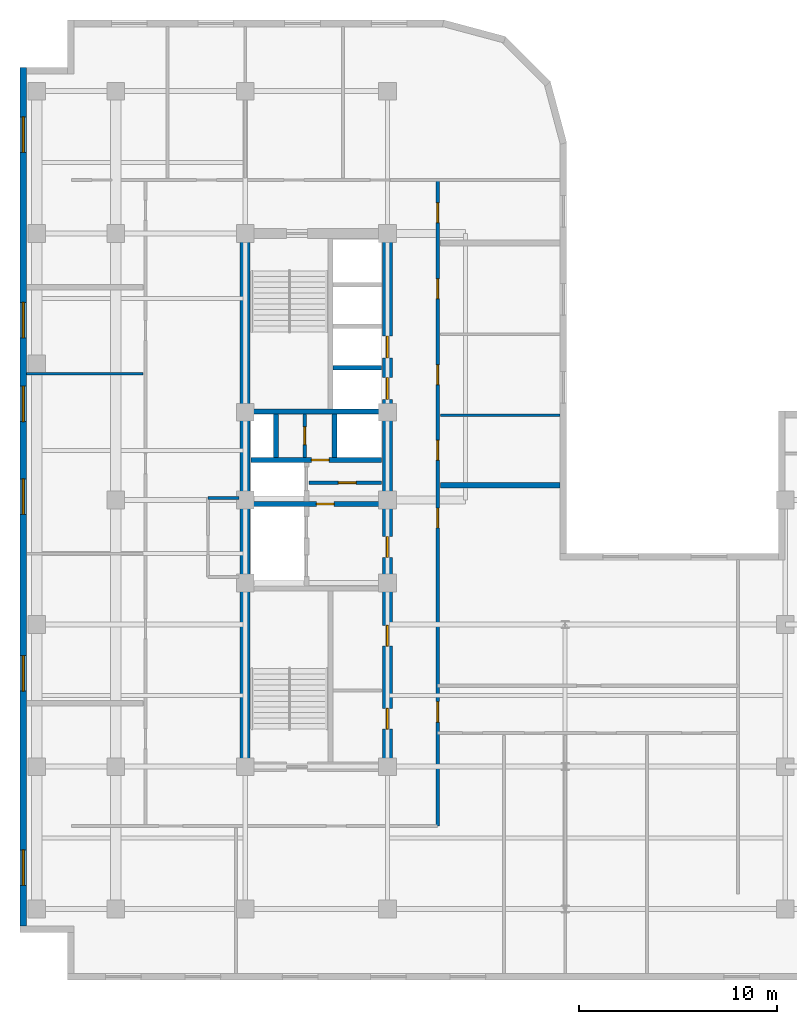
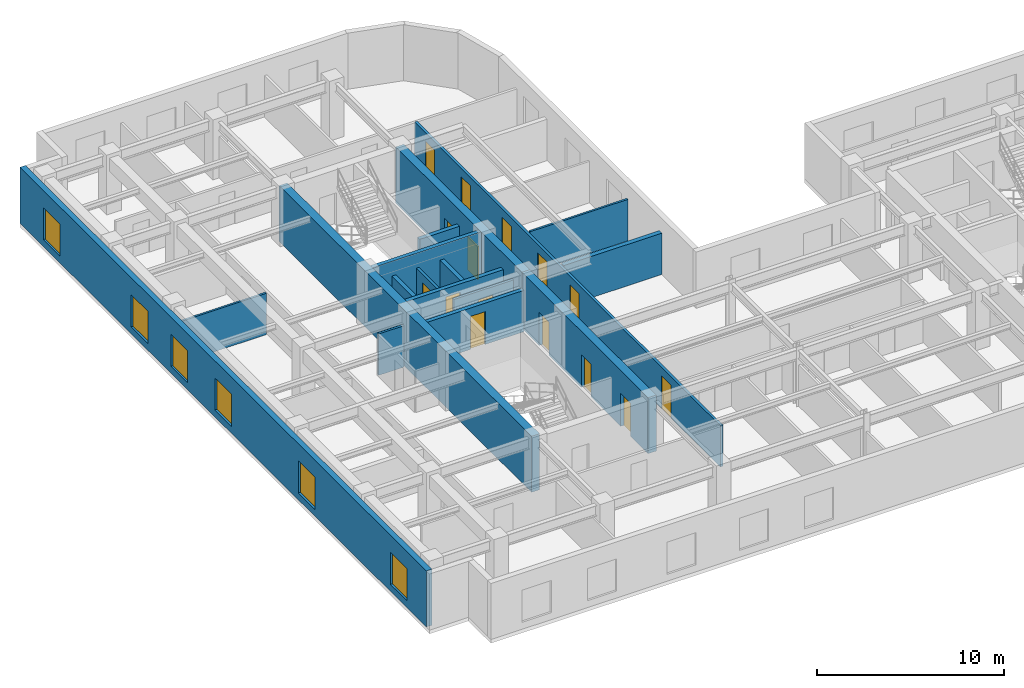
# One storey, part 5 of 11: 17 walls, 15 doors, 6 windows, 21 openings.
"""IFC4 building model written with IfcOpenShell, lengths in metres."""

import ifcopenshell
import ifcopenshell.guid

model = None  # the IFC model being written
_history = None  # IfcOwnerHistory: only IFC2X3 demands one
_inside = {}  # id of a spatial element -> (the spatial element, [elements in it])
_under = {}  # id of a project, library or spatial element -> (it, [spatial elements below it])
_declared = {}  # id of a project -> (the project, [libraries it declares])
_typed = {}  # id of a type object -> (the type object, [elements of that type])
_made_of = {}  # id of a material, layer set ... -> (it, [elements and type objects made of it])


def new_model(schema):
    """Start an empty IFC model of exactly this schema.

    Asked for "IFC4X3", IfcOpenShell would pick the latest addendum, in which some entities
    have other attributes; the version numbers below select the first issue.
    IFC2X3 requires an IfcOwnerHistory on every rooted entity: one is made here for all.
    """
    global model, _history
    if schema == "IFC4X3":
        model = ifcopenshell.file(schema_version=(4, 3, 0, 0))
    else:
        model = ifcopenshell.file(schema=schema)
    _inside.clear()
    _under.clear()
    _declared.clear()
    _typed.clear()
    _made_of.clear()
    _history = None
    if model.schema == "IFC2X3":
        org = make("IfcOrganization", Name="unknown")
        user = make(
            "IfcPersonAndOrganization",
            ThePerson=make("IfcPerson", FamilyName="unknown"),
            TheOrganization=org,
        )
        app = make(
            "IfcApplication",
            ApplicationDeveloper=org,
            Version="unknown",
            ApplicationFullName="unknown",
            ApplicationIdentifier="unknown",
        )
        _history = make(
            "IfcOwnerHistory",
            OwningUser=user,
            OwningApplication=app,
            ChangeAction="ADDED",
            CreationDate=0,
        )
    return model


def make(cls, **values):
    """One entity of the class cls with the attributes given. An attribute that is None is left unset."""
    return model.create_entity(
        cls, **{name: value for name, value in values.items() if value is not None}
    )


def entity(cls, *values):
    """Any entity or typed value of the class cls, its attributes in the order of the schema. None: left unset."""
    e = model.create_entity(cls)
    for i, value in enumerate(values):
        if value is not None:
            e[i] = value
    return e


def rooted(cls, **values):
    """An entity with a GlobalId (a new one), such as an element, a storey or a relation."""
    return make(cls, GlobalId=ifcopenshell.guid.new(), OwnerHistory=_history, **values)


def si_unit(unit_type, name, prefix=None):
    """IfcSIUnit, for example si_unit("LENGTHUNIT", "METRE", prefix="MILLI")."""
    return make("IfcSIUnit", UnitType=unit_type, Prefix=prefix, Name=name)


def converted_unit(unit_type, name, factor, base, dimensions=None, offset=None):
    """IfcConversionBasedUnit, such as the inch: factor (a typed value) times the base unit."""
    return make(
        "IfcConversionBasedUnit"
        if offset is None
        else "IfcConversionBasedUnitWithOffset",
        ConversionOffset=offset,
        Dimensions=None
        if dimensions is None
        else entity("IfcDimensionalExponents", *dimensions),
        UnitType=unit_type,
        Name=name,
        ConversionFactor=make(
            "IfcMeasureWithUnit", ValueComponent=factor, UnitComponent=base
        ),
    )


def assignment(units):
    """IfcUnitAssignment: the units of a project."""
    return None if units is None else make("IfcUnitAssignment", Units=units)


def point(xyz):
    """IfcCartesianPoint."""
    return None if xyz is None else make("IfcCartesianPoint", Coordinates=xyz)


def direction(xyz):
    """IfcDirection."""
    return None if xyz is None else make("IfcDirection", DirectionRatios=xyz)


def frame(location, z_axis=None, x_axis=None):
    """IfcAxis2Placement3D, a coordinate frame: its origin and axes. An axis left out is left unset."""
    return make(
        "IfcAxis2Placement3D",
        Location=point(location),
        Axis=direction(z_axis),
        RefDirection=direction(x_axis),
    )


def frame_2d(location, x_axis=None):
    """IfcAxis2Placement2D, a coordinate frame in the plane: its origin and x axis."""
    return make(
        "IfcAxis2Placement2D", Location=point(location), RefDirection=direction(x_axis)
    )


def origin_with_axes():
    """The frame at (0, 0, 0) with the z axis (0, 0, 1) and the x axis (1, 0, 0) written out."""
    return frame((0.0, 0.0, 0.0), z_axis=(0.0, 0.0, 1.0), x_axis=(1.0, 0.0, 0.0))


def origin_2d_with_axis():
    """The frame at (0, 0) in the plane with the x axis (1, 0) written out."""
    return frame_2d((0.0, 0.0), x_axis=(1.0, 0.0))


def place(relative_to, where):
    """IfcLocalPlacement: puts the frame where relative to a parent placement (None: the world)."""
    return make(
        "IfcLocalPlacement", PlacementRelTo=relative_to, RelativePlacement=where
    )


def context(
    kind, dimensions, precision=None, world=None, true_north=None, identifier=None
):
    """IfcGeometricRepresentationContext, for example the 3D "Model" context."""
    return make(
        "IfcGeometricRepresentationContext",
        ContextIdentifier=identifier,
        ContextType=kind,
        CoordinateSpaceDimension=dimensions,
        Precision=precision,
        WorldCoordinateSystem=world,
        TrueNorth=true_north,
    )


def subcontext(parent, identifier, kind, view, scale=None):
    """IfcGeometricRepresentationSubContext, for example "Body" below "Model"."""
    return make(
        "IfcGeometricRepresentationSubContext",
        ContextIdentifier=identifier,
        ContextType=kind,
        ParentContext=parent,
        TargetScale=scale,
        TargetView=view,
    )


def project(units=None, contexts=None):
    """IfcProject with its units and contexts."""
    return rooted(
        "IfcProject",
        Name="project",
        RepresentationContexts=contexts,
        UnitsInContext=assignment(units),
    )


def spatial(cls, under=None, at=None, **own):
    """A site, building, storey or space (cls), placed at a placement, below another one or the project."""
    s = rooted(cls, ObjectPlacement=at, **own)
    if under is not None:
        _under.setdefault(under.id(), (under, []))[1].append(s)
    return s


def polyline(points):
    """IfcPolyline through the points."""
    return make("IfcPolyline", Points=[point(p) for p in points])


def profile(cls, at=None, kind="AREA", **sizes):
    """A parametric profile (cls). Its sizes go by their IFC names, for example OverallWidth=200.0."""
    return make(cls, ProfileType=kind, Position=at, **sizes)


def rectangle(**sizes):
    """IfcRectangleProfileDef."""
    return profile("IfcRectangleProfileDef", **sizes)


def outline(outer, holes=None, kind="AREA"):
    """IfcArbitraryClosedProfileDef: a profile drawn as a closed curve; with holes, ...WithVoids."""
    if holes is None:
        return make("IfcArbitraryClosedProfileDef", ProfileType=kind, OuterCurve=outer)
    return make(
        "IfcArbitraryProfileDefWithVoids",
        ProfileType=kind,
        OuterCurve=outer,
        InnerCurves=holes,
    )


def extrude(swept, where, along, depth):
    """IfcExtrudedAreaSolid: the profile swept, set in the frame where, extruded along a direction by depth."""
    return make(
        "IfcExtrudedAreaSolid",
        SweptArea=swept,
        Position=where,
        ExtrudedDirection=direction(along),
        Depth=depth,
    )


def shape(context_of_items, identifier, shape_type, items):
    """IfcShapeRepresentation: the items that make up one representation, for example the "Body"."""
    return make(
        "IfcShapeRepresentation",
        ContextOfItems=context_of_items,
        RepresentationIdentifier=identifier,
        RepresentationType=shape_type,
        Items=items,
    )


def material(Name=None, Category=None):
    """IfcMaterial."""
    return make("IfcMaterial", Name=Name, Category=Category)


def layer(
    of_material, thickness, ventilated=None, Name=None, Category=None, Priority=None
):
    """IfcMaterialLayer: one layer of a wall or slab, of a material (None: an air gap)."""
    return make(
        "IfcMaterialLayer",
        Material=of_material,
        LayerThickness=thickness,
        IsVentilated=ventilated,
        Name=Name,
        Category=Category,
        Priority=Priority,
    )


def layer_set(layers, Name=None):
    """IfcMaterialLayerSet."""
    return make("IfcMaterialLayerSet", MaterialLayers=layers, LayerSetName=Name)


def made_of(thing, what):
    """Note that an element or type object is made of a material, layer set ...; save() writes the relation."""
    if what is not None:
        _made_of.setdefault(what.id(), (what, []))[1].append(thing)
    return thing


def type_object(cls, material=None, **own):
    """A type object (cls), such as IfcWallType, which elements share."""
    return made_of(rooted(cls, **own), material)


def element(
    cls,
    number,
    at=None,
    inside=None,
    cuts=None,
    type_object=None,
    material=None,
    context=None,
    identifier="Body",
    shape_type=None,
    held_by="IfcProductDefinitionShape",
    body=None,
    shapes=None,
    **own,
):
    """One element of the class cls, such as IfcWall. Its Tag is "e" and its number.

    at: its placement. inside: the storey or other place that contains it. cuts: it is an
    opening in that element (IfcRelVoidsElement). A single representation is given by context,
    identifier, shape_type and body (its items); several are given by shapes. held_by: the class
    of the entity that holds the representations. save() writes the other relations.
    """
    e = rooted(cls, Tag="e%d" % number, ObjectPlacement=at, **own)
    if body is not None:
        shapes = [shape(context, identifier, shape_type, body)]
    if shapes is not None:
        e.Representation = make(held_by, Representations=shapes)
    if inside is not None:
        _inside.setdefault(inside.id(), (inside, []))[1].append(e)
    if cuts is not None:
        rooted(
            "IfcRelVoidsElement", RelatingBuildingElement=cuts, RelatedOpeningElement=e
        )
    if type_object is not None:
        _typed.setdefault(type_object.id(), (type_object, []))[1].append(e)
    return made_of(e, material)


def fill(opening, filler):
    """IfcRelFillsElement: the door or window that sits in an opening."""
    return rooted(
        "IfcRelFillsElement",
        RelatingOpeningElement=opening,
        RelatedBuildingElement=filler,
    )


def aggregate(whole, parts):
    """IfcRelAggregates: a whole, such as a stair, and the parts it consists of."""
    return rooted("IfcRelAggregates", RelatingObject=whole, RelatedObjects=parts)


def save(model, path):
    """Write the relations noted so far, then the file.

    IfcRelAggregates (storeys below a building ...), IfcRelContainedInSpatialStructure (elements
    in a storey), IfcRelDefinesByType, IfcRelAssociatesMaterial and IfcRelDeclares: one each for
    every whole, place, type object, material and project.
    """
    for whole, parts in _under.values():
        aggregate(whole, parts)
    for where, things in _inside.values():
        rooted(
            "IfcRelContainedInSpatialStructure",
            RelatedElements=things,
            RelatingStructure=where,
        )
    for kind, things in _typed.values():
        rooted("IfcRelDefinesByType", RelatedObjects=things, RelatingType=kind)
    for what, things in _made_of.values():
        rooted("IfcRelAssociatesMaterial", RelatedObjects=things, RelatingMaterial=what)
    for by, libraries in _declared.values():
        rooted("IfcRelDeclares", RelatingContext=by, RelatedDefinitions=libraries)
    model.write(path)


model = new_model("IFC4")

# Units and contexts
model_context = context("Model", 3, precision=1e-05, world=origin_with_axes(), true_north=direction((0.0, 1.0)))
body_context = subcontext(model_context, "Body", "Model", "MODEL_VIEW")
ifc_project = project(units=[si_unit("LENGTHUNIT", "METRE"), si_unit("AREAUNIT", "SQUARE_METRE"), si_unit("VOLUMEUNIT", "CUBIC_METRE"), converted_unit("PLANEANGLEUNIT", "DEGREE", entity("IfcPlaneAngleMeasure", 0.017453292519943295), si_unit("PLANEANGLEUNIT", "RADIAN"), dimensions=[0, 0, 0, 0, 0, 0, 0]), si_unit("MASSUNIT", "GRAM", prefix="KILO"), si_unit("THERMODYNAMICTEMPERATUREUNIT", "KELVIN")], contexts=[model_context])

# Site, building, storey
site_placement = place(None, origin_with_axes())
site = spatial("IfcSite", under=ifc_project, at=site_placement, CompositionType="ELEMENT")
building_placement = place(site_placement, origin_with_axes())
building = spatial("IfcBuilding", under=site, at=building_placement, Name="Varnlund Millrace Tower", CompositionType="ELEMENT")
storey_placement = place(building_placement, frame((0.0, 0.0, 192.6), z_axis=(0.0, 0.0, 1.0), x_axis=(1.0, 0.0, 0.0)))
storey = spatial("IfcBuildingStorey", under=building, at=storey_placement, Name="L47", CompositionType="ELEMENT", Elevation=192.6)

# Wall
ifc_material_1 = material(Name="Concrete C70/85", Category="concrete")
ifc_layer_1 = layer(ifc_material_1, 0.5, Name="Concrete C70/85")
ifc_layer_set_1 = layer_set([ifc_layer_1], Name="Concrete C70/85")
wall_type_1 = type_object("IfcWallType", Name="Type-CoreWall-Shear-500-C70", PredefinedType="SHEAR", material=ifc_layer_set_1)
wall_1_placement = place(storey_placement, frame((11.4, 10.8, 0.0), z_axis=(0.0, 0.0, 1.0), x_axis=(0.0, 1.0, 0.0)))
element("IfcWall", 1, at=wall_1_placement, inside=storey, type_object=wall_type_1, Name="Type-CoreWall-Shear-500-C70", PredefinedType="SHEAR", context=body_context, shape_type="SweptSolid", body=[
    extrude(outline(polyline([(0.0, -0.25), (27.0, -0.25), (27.0, 0.25), (0.0, 0.25), (0.0, -0.25)])), origin_with_axes(), (0.0, 0.0, 1.0), 3.66),
])

# Wall, openings, doors
wall_2_placement = place(storey_placement, frame((18.6, 10.8, 0.0), z_axis=(0.0, 0.0, 1.0), x_axis=(0.0, 1.0, 0.0)))
wall_2 = element("IfcWall", 2, at=wall_2_placement, inside=storey, type_object=wall_type_1, Name="Type-CoreWall-Shear-500-C70", PredefinedType="SHEAR", context=body_context, shape_type="SweptSolid", body=[
    extrude(outline(polyline([(0.0, -0.25), (13.5, -0.25), (13.5, 0.25), (0.0, 0.25), (0.0, -0.25)])), origin_with_axes(), (0.0, 0.0, 1.0), 3.66),
])
opening_1_placement = place(wall_2_placement, frame((11.125, 0.0, 0.0), z_axis=(0.0, 0.0, 1.0), x_axis=(1.0, 0.0, 0.0)))
opening_1 = element("IfcOpeningElement", 3, at=opening_1_placement, cuts=wall_2, Name="Opening L47:DR-FFLOB-A", PredefinedType="OPENING", context=body_context, shape_type="SweptSolid", body=[
    extrude(rectangle(XDim=1.05, YDim=0.52, at=origin_2d_with_axis()), origin_with_axes(), (0.0, 0.0, 1.0), 2.15),
])
opening_2_placement = place(wall_2_placement, frame((2.425, 0.0, 0.0), z_axis=(0.0, 0.0, 1.0), x_axis=(1.0, 0.0, 0.0)))
opening_2 = element("IfcOpeningElement", 4, at=opening_2_placement, cuts=wall_2, Name="Opening L47:DR-RECL-A1-1", PredefinedType="OPENING", context=body_context, shape_type="SweptSolid", body=[
    extrude(rectangle(XDim=1.05, YDim=0.52, at=origin_2d_with_axis()), origin_with_axes(), (0.0, 0.0, 1.0), 2.15),
])
opening_3_placement = place(wall_2_placement, frame((6.625, 0.0, 0.0), z_axis=(0.0, 0.0, 1.0), x_axis=(1.0, 0.0, 0.0)))
opening_3 = element("IfcOpeningElement", 5, at=opening_3_placement, cuts=wall_2, Name="Opening L47:DR-RECL-A1-2", PredefinedType="OPENING", context=body_context, shape_type="SweptSolid", body=[
    extrude(rectangle(XDim=1.05, YDim=0.52, at=origin_2d_with_axis()), origin_with_axes(), (0.0, 0.0, 1.0), 2.15),
])
ifc_material_2 = material(Name="Smoke-barrier hollow steel fire door", Category="steel")
door_type_1 = type_object("IfcDoorType", Name="Type-FireDoor-Lobby-1050X2150", OperationType="NOTDEFINED", PredefinedType="DOOR", material=ifc_material_2)
door_1_placement = place(wall_2_placement, frame((11.125, 0.0, 0.0), z_axis=(0.0, 0.0, 1.0), x_axis=(1.0, 0.0, 0.0)))
door_1 = element("IfcDoor", 6, at=door_1_placement, inside=storey, type_object=door_type_1, Name="Type-FireDoor-Lobby-1050X2150", OperationType="SINGLE_SWING_LEFT", OverallHeight=2.15, OverallWidth=1.05, PredefinedType="DOOR", context=body_context, shape_type="SweptSolid", body=[
    extrude(rectangle(XDim=1.05, YDim=0.09, at=origin_2d_with_axis()), origin_with_axes(), (0.0, 0.0, 1.0), 2.15),
])
fill(opening_1, door_1)
door_2_placement = place(wall_2_placement, frame((2.425, 0.0, 0.0), z_axis=(0.0, 0.0, 1.0), x_axis=(1.0, 0.0, 0.0)))
door_2 = element("IfcDoor", 7, at=door_2_placement, inside=storey, type_object=door_type_1, Name="Type-FireDoor-Lobby-1050X2150", OperationType="SINGLE_SWING_LEFT", OverallHeight=2.15, OverallWidth=1.05, PredefinedType="DOOR", context=body_context, shape_type="SweptSolid", body=[
    extrude(rectangle(XDim=1.05, YDim=0.09, at=origin_2d_with_axis()), origin_with_axes(), (0.0, 0.0, 1.0), 2.15),
])
fill(opening_2, door_2)
door_3_placement = place(wall_2_placement, frame((6.625, 0.0, 0.0), z_axis=(0.0, 0.0, 1.0), x_axis=(1.0, 0.0, 0.0)))
door_3 = element("IfcDoor", 8, at=door_3_placement, inside=storey, type_object=door_type_1, Name="Type-FireDoor-Lobby-1050X2150", OperationType="SINGLE_SWING_RIGHT", OverallHeight=2.15, OverallWidth=1.05, PredefinedType="DOOR", context=body_context, shape_type="SweptSolid", body=[
    extrude(rectangle(XDim=1.05, YDim=0.09, at=origin_2d_with_axis()), origin_with_axes(), (0.0, 0.0, 1.0), 2.15),
])
fill(opening_3, door_3)

wall_3_placement = place(storey_placement, frame((18.6, 24.3, 0.0), z_axis=(0.0, 0.0, 1.0), x_axis=(0.0, 1.0, 0.0)))
wall_3 = element("IfcWall", 9, at=wall_3_placement, inside=storey, type_object=wall_type_1, Name="Type-CoreWall-Shear-500-C70", PredefinedType="SHEAR", context=body_context, shape_type="SweptSolid", body=[
    extrude(outline(polyline([(0.0, -0.25), (13.5, -0.25), (13.5, 0.25), (0.0, 0.25), (0.0, -0.25)])), origin_with_axes(), (0.0, 0.0, 1.0), 3.66),
])
opening_4_placement = place(wall_3_placement, frame((5.65, 0.0, 0.0), z_axis=(0.0, 0.0, 1.0), x_axis=(1.0, 0.0, 0.0)))
opening_4 = element("IfcOpeningElement", 10, at=opening_4_placement, cuts=wall_3, Name="Opening L47:LD-ELV-M1", PredefinedType="OPENING", context=body_context, shape_type="SweptSolid", body=[
    extrude(rectangle(XDim=1.1, YDim=0.52, at=origin_2d_with_axis()), origin_with_axes(), (0.0, 0.0, 1.0), 2.15),
])
opening_5_placement = place(wall_3_placement, frame((7.75, 0.0, 0.0), z_axis=(0.0, 0.0, 1.0), x_axis=(1.0, 0.0, 0.0)))
opening_5 = element("IfcOpeningElement", 11, at=opening_5_placement, cuts=wall_3, Name="Opening L47:LD-ELV-M2", PredefinedType="OPENING", context=body_context, shape_type="SweptSolid", body=[
    extrude(rectangle(XDim=1.1, YDim=0.52, at=origin_2d_with_axis()), origin_with_axes(), (0.0, 0.0, 1.0), 2.15),
])
ifc_material_3 = material(Name="Stainless and architectural bronze sliding landing door")
door_type_2 = type_object("IfcDoorType", Name="Type-LiftLandingDoor-1100X2150", OperationType="NOTDEFINED", PredefinedType="DOOR", material=ifc_material_3)
door_4_placement = place(wall_3_placement, frame((5.65, 0.0, 0.0), z_axis=(0.0, 0.0, 1.0), x_axis=(1.0, 0.0, 0.0)))
door_4 = element("IfcDoor", 12, at=door_4_placement, inside=storey, type_object=door_type_2, Name="Type-LiftLandingDoor-1100X2150", OperationType="SLIDING_TO_LEFT", OverallHeight=2.15, OverallWidth=1.1, PredefinedType="DOOR", context=body_context, shape_type="SweptSolid", body=[
    extrude(rectangle(XDim=1.1, YDim=0.09, at=origin_2d_with_axis()), origin_with_axes(), (0.0, 0.0, 1.0), 2.15),
])
fill(opening_4, door_4)
door_5_placement = place(wall_3_placement, frame((7.75, 0.0, 0.0), z_axis=(0.0, 0.0, 1.0), x_axis=(1.0, 0.0, 0.0)))
door_5 = element("IfcDoor", 13, at=door_5_placement, inside=storey, type_object=door_type_2, Name="Type-LiftLandingDoor-1100X2150", OperationType="SLIDING_TO_RIGHT", OverallHeight=2.15, OverallWidth=1.1, PredefinedType="DOOR", context=body_context, shape_type="SweptSolid", body=[
    extrude(rectangle(XDim=1.1, YDim=0.09, at=origin_2d_with_axis()), origin_with_axes(), (0.0, 0.0, 1.0), 2.15),
])
fill(opening_5, door_5)

# Wall, openings, windows
ifc_material_4 = material(Name="Precast concrete C50/60", Category="concrete")
ifc_layer_2 = layer(ifc_material_4, 0.34, Name="Precast concrete C50/60")
ifc_layer_set_2 = layer_set([ifc_layer_2], Name="Precast concrete C50/60")
wall_type_2 = type_object("IfcWallType", Name="Type-ExtWall-Precast-Upper-340", PredefinedType="SOLIDWALL", material=ifc_layer_set_2)
wall_4_placement = place(storey_placement, frame((0.17, 2.74, 0.0), z_axis=(0.0, 0.0, 1.0), x_axis=(0.0, 1.0, 0.0)))
wall_4 = element("IfcWall", 14, at=wall_4_placement, inside=storey, type_object=wall_type_2, Name="Type-ExtWall-Precast-Upper-340", PredefinedType="SOLIDWALL", context=body_context, shape_type="SweptSolid", body=[
    extrude(outline(polyline([(0.0, -0.17), (43.46, -0.17), (43.46, 0.17), (0.0, 0.17), (0.0, -0.17)])), origin_with_axes(), (0.0, 0.0, 1.0), 3.66),
])
opening_6_placement = place(wall_4_placement, frame((2.948, 0.0, 0.45), z_axis=(0.0, 0.0, 1.0), x_axis=(1.0, 0.0, 0.0)))
opening_6 = element("IfcOpeningElement", 15, at=opening_6_placement, cuts=wall_4, Name="Opening L47:WN-18", PredefinedType="OPENING", context=body_context, shape_type="SweptSolid", body=[
    extrude(rectangle(XDim=1.8, YDim=0.36, at=origin_2d_with_axis()), origin_with_axes(), (0.0, 0.0, 1.0), 2.1),
])
opening_7_placement = place(wall_4_placement, frame((12.789, 0.0, 0.45), z_axis=(0.0, 0.0, 1.0), x_axis=(1.0, 0.0, 0.0)))
opening_7 = element("IfcOpeningElement", 16, at=opening_7_placement, cuts=wall_4, Name="Opening L47:WN-19", PredefinedType="OPENING", context=body_context, shape_type="SweptSolid", body=[
    extrude(rectangle(XDim=1.8, YDim=0.36, at=origin_2d_with_axis()), origin_with_axes(), (0.0, 0.0, 1.0), 2.1),
])
opening_8_placement = place(wall_4_placement, frame((21.73, 0.0, 0.45), z_axis=(0.0, 0.0, 1.0), x_axis=(1.0, 0.0, 0.0)))
opening_8 = element("IfcOpeningElement", 17, at=opening_8_placement, cuts=wall_4, Name="Opening L47:WN-20", PredefinedType="OPENING", context=body_context, shape_type="SweptSolid", body=[
    extrude(rectangle(XDim=1.8, YDim=0.36, at=origin_2d_with_axis()), origin_with_axes(), (0.0, 0.0, 1.0), 2.1),
])
opening_9_placement = place(wall_4_placement, frame((26.426, 0.0, 0.45), z_axis=(0.0, 0.0, 1.0), x_axis=(1.0, 0.0, 0.0)))
opening_9 = element("IfcOpeningElement", 18, at=opening_9_placement, cuts=wall_4, Name="Opening L47:WN-21", PredefinedType="OPENING", context=body_context, shape_type="SweptSolid", body=[
    extrude(rectangle(XDim=1.8, YDim=0.36, at=origin_2d_with_axis()), origin_with_axes(), (0.0, 0.0, 1.0), 2.1),
])
opening_10_placement = place(wall_4_placement, frame((30.671, 0.0, 0.45), z_axis=(0.0, 0.0, 1.0), x_axis=(1.0, 0.0, 0.0)))
opening_10 = element("IfcOpeningElement", 19, at=opening_10_placement, cuts=wall_4, Name="Opening L47:WN-22", PredefinedType="OPENING", context=body_context, shape_type="SweptSolid", body=[
    extrude(rectangle(XDim=1.8, YDim=0.36, at=origin_2d_with_axis()), origin_with_axes(), (0.0, 0.0, 1.0), 2.1),
])
opening_11_placement = place(wall_4_placement, frame((40.062, 0.0, 0.45), z_axis=(0.0, 0.0, 1.0), x_axis=(1.0, 0.0, 0.0)))
opening_11 = element("IfcOpeningElement", 20, at=opening_11_placement, cuts=wall_4, Name="Opening L47:WN-23", PredefinedType="OPENING", context=body_context, shape_type="SweptSolid", body=[
    extrude(rectangle(XDim=1.8, YDim=0.36, at=origin_2d_with_axis()), origin_with_axes(), (0.0, 0.0, 1.0), 2.1),
])
ifc_material_5 = material(Name="Argon low-e triple glazing in thermally broken bronze frame", Category="glass")
window_type = type_object("IfcWindowType", Name="Type-Window-Punched-1800X2100", PartitioningType="SINGLE_PANEL", PredefinedType="WINDOW", material=ifc_material_5)
window_1_placement = place(wall_4_placement, frame((2.948, 0.0, 0.45), z_axis=(0.0, 0.0, 1.0), x_axis=(1.0, 0.0, 0.0)))
window_1 = element("IfcWindow", 21, at=window_1_placement, inside=storey, type_object=window_type, Name="Type-Window-Punched-1800X2100", OverallHeight=2.1, OverallWidth=1.8, PredefinedType="WINDOW", context=body_context, shape_type="SweptSolid", body=[
    extrude(rectangle(XDim=1.8, YDim=0.09, at=origin_2d_with_axis()), origin_with_axes(), (0.0, 0.0, 1.0), 2.1),
])
fill(opening_6, window_1)
window_2_placement = place(wall_4_placement, frame((12.789, 0.0, 0.45), z_axis=(0.0, 0.0, 1.0), x_axis=(1.0, 0.0, 0.0)))
window_2 = element("IfcWindow", 22, at=window_2_placement, inside=storey, type_object=window_type, Name="Type-Window-Punched-1800X2100", OverallHeight=2.1, OverallWidth=1.8, PredefinedType="WINDOW", context=body_context, shape_type="SweptSolid", body=[
    extrude(rectangle(XDim=1.8, YDim=0.09, at=origin_2d_with_axis()), origin_with_axes(), (0.0, 0.0, 1.0), 2.1),
])
fill(opening_7, window_2)
window_3_placement = place(wall_4_placement, frame((21.73, 0.0, 0.45), z_axis=(0.0, 0.0, 1.0), x_axis=(1.0, 0.0, 0.0)))
window_3 = element("IfcWindow", 23, at=window_3_placement, inside=storey, type_object=window_type, Name="Type-Window-Punched-1800X2100", OverallHeight=2.1, OverallWidth=1.8, PredefinedType="WINDOW", context=body_context, shape_type="SweptSolid", body=[
    extrude(rectangle(XDim=1.8, YDim=0.09, at=origin_2d_with_axis()), origin_with_axes(), (0.0, 0.0, 1.0), 2.1),
])
fill(opening_8, window_3)
window_4_placement = place(wall_4_placement, frame((26.426, 0.0, 0.45), z_axis=(0.0, 0.0, 1.0), x_axis=(1.0, 0.0, 0.0)))
window_4 = element("IfcWindow", 24, at=window_4_placement, inside=storey, type_object=window_type, Name="Type-Window-Punched-1800X2100", OverallHeight=2.1, OverallWidth=1.8, PredefinedType="WINDOW", context=body_context, shape_type="SweptSolid", body=[
    extrude(rectangle(XDim=1.8, YDim=0.09, at=origin_2d_with_axis()), origin_with_axes(), (0.0, 0.0, 1.0), 2.1),
])
fill(opening_9, window_4)
window_5_placement = place(wall_4_placement, frame((30.671, 0.0, 0.45), z_axis=(0.0, 0.0, 1.0), x_axis=(1.0, 0.0, 0.0)))
window_5 = element("IfcWindow", 25, at=window_5_placement, inside=storey, type_object=window_type, Name="Type-Window-Punched-1800X2100", OverallHeight=2.1, OverallWidth=1.8, PredefinedType="WINDOW", context=body_context, shape_type="SweptSolid", body=[
    extrude(rectangle(XDim=1.8, YDim=0.09, at=origin_2d_with_axis()), origin_with_axes(), (0.0, 0.0, 1.0), 2.1),
])
fill(opening_10, window_5)
window_6_placement = place(wall_4_placement, frame((40.062, 0.0, 0.45), z_axis=(0.0, 0.0, 1.0), x_axis=(1.0, 0.0, 0.0)))
window_6 = element("IfcWindow", 26, at=window_6_placement, inside=storey, type_object=window_type, Name="Type-Window-Punched-1800X2100", OverallHeight=2.1, OverallWidth=1.8, PredefinedType="WINDOW", context=body_context, shape_type="SweptSolid", body=[
    extrude(rectangle(XDim=1.8, YDim=0.09, at=origin_2d_with_axis()), origin_with_axes(), (0.0, 0.0, 1.0), 2.1),
])
fill(opening_11, window_6)

# Wall
ifc_material_6 = material(Name="Double-stud STC-60 conference acoustic partition", Category="gypsum")
ifc_layer_3 = layer(ifc_material_6, 0.28, Name="Double-stud STC-60 conference acoustic partition")
ifc_layer_set_3 = layer_set([ifc_layer_3], Name="Double-stud STC-60 conference acoustic partition")
wall_type_3 = type_object("IfcWallType", Name="Type-Partition-Acoustic-280", PredefinedType="PARTITIONING", material=ifc_layer_set_3)
wall_5_placement = place(storey_placement, frame((21.3, 25.049, 0.0), z_axis=(0.0, 0.0, 1.0), x_axis=(1.0, 0.0, 0.0)))
element("IfcWall", 27, at=wall_5_placement, inside=storey, type_object=wall_type_3, Name="Type-Partition-Acoustic-280", PredefinedType="PARTITIONING", context=body_context, shape_type="SweptSolid", body=[
    extrude(outline(polyline([(0.0, -0.14), (6.046, -0.14), (6.046, 0.14), (0.0, 0.14), (0.0, -0.14)])), origin_with_axes(), (0.0, 0.0, 1.0), 2.7),
])

# Wall, opening, door
ifc_material_7 = material(Name="Fire-rated gypsum board on cold-formed steel framing", Category="steel")
ifc_layer_4 = layer(ifc_material_7, 0.16, Name="Fire-rated gypsum board on cold-formed steel framing")
ifc_layer_set_4 = layer_set([ifc_layer_4], Name="Fire-rated gypsum board on cold-formed steel framing")
wall_type_4 = type_object("IfcWallType", Name="Type-Partition-Corridor-160", PredefinedType="PARTITIONING", material=ifc_layer_set_4)
wall_6_placement = place(storey_placement, frame((14.62, 25.18, 0.0), z_axis=(0.0, 0.0, 1.0), x_axis=(1.0, 0.0, 0.0)))
wall_6 = element("IfcWall", 28, at=wall_6_placement, inside=storey, type_object=wall_type_4, Name="Type-Partition-Corridor-160", PredefinedType="PARTITIONING", context=body_context, shape_type="SweptSolid", body=[
    extrude(outline(polyline([(0.0, -0.08), (3.68, -0.08), (3.68, 0.08), (0.0, 0.08), (0.0, -0.08)])), origin_with_axes(), (0.0, 0.0, 1.0), 2.7),
])
opening_12_placement = place(wall_6_placement, frame((1.95, 0.0, 0.0), z_axis=(0.0, 0.0, 1.0), x_axis=(1.0, 0.0, 0.0)))
opening_12 = element("IfcOpeningElement", 29, at=opening_12_placement, cuts=wall_6, Name="Opening L47:DR-CA-SUB2", PredefinedType="OPENING", context=body_context, shape_type="SweptSolid", body=[
    extrude(rectangle(XDim=0.9, YDim=0.18, at=origin_2d_with_axis()), origin_with_axes(), (0.0, 0.0, 1.0), 2.15),
])
ifc_material_8 = material(Name="Painted steel riser and closet door", Category="steel")
door_type_3 = type_object("IfcDoorType", Name="Type-IntDoor-Closet-900X2150", OperationType="NOTDEFINED", PredefinedType="DOOR", material=ifc_material_8)
door_6_placement = place(wall_6_placement, frame((1.95, 0.0, 0.0), z_axis=(0.0, 0.0, 1.0), x_axis=(1.0, 0.0, 0.0)))
door_6 = element("IfcDoor", 30, at=door_6_placement, inside=storey, type_object=door_type_3, Name="Type-IntDoor-Closet-900X2150", OperationType="SINGLE_SWING_LEFT", OverallHeight=2.15, OverallWidth=0.9, PredefinedType="DOOR", context=body_context, shape_type="SweptSolid", body=[
    extrude(rectangle(XDim=0.9, YDim=0.09, at=origin_2d_with_axis()), origin_with_axes(), (0.0, 0.0, 1.0), 2.15),
])
fill(opening_12, door_6)

wall_7_placement = place(storey_placement, frame((14.42, 26.45, 0.0), z_axis=(0.0, 0.0, 1.0), x_axis=(0.0, 1.0, 0.0)))
wall_7 = element("IfcWall", 31, at=wall_7_placement, inside=storey, type_object=wall_type_4, Name="Type-Partition-Corridor-160", PredefinedType="PARTITIONING", context=body_context, shape_type="SweptSolid", body=[
    extrude(outline(polyline([(0.0, -0.08), (2.2, -0.08), (2.2, 0.08), (0.0, 0.08), (0.0, -0.08)])), origin_with_axes(), (0.0, 0.0, 1.0), 2.7),
])
opening_13_placement = place(wall_7_placement, frame((1.1, 0.0, 0.0), z_axis=(0.0, 0.0, 1.0), x_axis=(1.0, 0.0, 0.0)))
opening_13 = element("IfcOpeningElement", 32, at=opening_13_placement, cuts=wall_7, Name="Opening L47:DR-CA-EL2", PredefinedType="OPENING", context=body_context, shape_type="SweptSolid", body=[
    extrude(rectangle(XDim=0.9, YDim=0.18, at=origin_2d_with_axis()), origin_with_axes(), (0.0, 0.0, 1.0), 2.15),
])
door_7_placement = place(wall_7_placement, frame((1.1, 0.0, 0.0), z_axis=(0.0, 0.0, 1.0), x_axis=(1.0, 0.0, 0.0)))
door_7 = element("IfcDoor", 33, at=door_7_placement, inside=storey, type_object=door_type_3, Name="Type-IntDoor-Closet-900X2150", OperationType="SINGLE_SWING_LEFT", OverallHeight=2.15, OverallWidth=0.9, PredefinedType="DOOR", context=body_context, shape_type="SweptSolid", body=[
    extrude(rectangle(XDim=0.9, YDim=0.09, at=origin_2d_with_axis()), origin_with_axes(), (0.0, 0.0, 1.0), 2.15),
])
fill(opening_13, door_7)

# Wall, openings, doors
wall_8_placement = place(storey_placement, frame((21.15, 7.8, 0.0), z_axis=(0.0, 0.0, 1.0), x_axis=(0.0, 1.0, 0.0)))
wall_8 = element("IfcWall", 34, at=wall_8_placement, inside=storey, type_object=wall_type_4, Name="Type-Partition-Corridor-160", PredefinedType="PARTITIONING", context=body_context, shape_type="SweptSolid", body=[
    extrude(outline(polyline([(0.0, -0.08), (32.7, -0.08), (32.7, 0.08), (0.0, 0.08), (0.0, -0.08)])), origin_with_axes(), (0.0, 0.0, 1.0), 2.7),
])
opening_14_placement = place(wall_8_placement, frame((15.5895, 0.0, 0.0), z_axis=(0.0, 0.0, 1.0), x_axis=(1.0, 0.0, 0.0)))
opening_14 = element("IfcOpeningElement", 35, at=opening_14_placement, cuts=wall_8, Name="Opening L47:DR-FLR-01", PredefinedType="OPENING", context=body_context, shape_type="SweptSolid", body=[
    extrude(rectangle(XDim=1.0, YDim=0.18, at=origin_2d_with_axis()), origin_with_axes(), (0.0, 0.0, 1.0), 2.15),
])
opening_15_placement = place(wall_8_placement, frame((19.026, 0.0, 0.0), z_axis=(0.0, 0.0, 1.0), x_axis=(1.0, 0.0, 0.0)))
opening_15 = element("IfcOpeningElement", 36, at=opening_15_placement, cuts=wall_8, Name="Opening L47:DR-FLR-02", PredefinedType="OPENING", context=body_context, shape_type="SweptSolid", body=[
    extrude(rectangle(XDim=1.0, YDim=0.18, at=origin_2d_with_axis()), origin_with_axes(), (0.0, 0.0, 1.0), 2.15),
])
opening_16_placement = place(wall_8_placement, frame((22.849, 0.0, 0.0), z_axis=(0.0, 0.0, 1.0), x_axis=(1.0, 0.0, 0.0)))
opening_16 = element("IfcOpeningElement", 37, at=opening_16_placement, cuts=wall_8, Name="Opening L47:DR-FLR-03", PredefinedType="OPENING", context=body_context, shape_type="SweptSolid", body=[
    extrude(rectangle(XDim=1.0, YDim=0.18, at=origin_2d_with_axis()), origin_with_axes(), (0.0, 0.0, 1.0), 2.15),
])
opening_17_placement = place(wall_8_placement, frame((27.2045, 0.0, 0.0), z_axis=(0.0, 0.0, 1.0), x_axis=(1.0, 0.0, 0.0)))
opening_17 = element("IfcOpeningElement", 38, at=opening_17_placement, cuts=wall_8, Name="Opening L47:DR-FLR-04", PredefinedType="OPENING", context=body_context, shape_type="SweptSolid", body=[
    extrude(rectangle(XDim=1.0, YDim=0.18, at=origin_2d_with_axis()), origin_with_axes(), (0.0, 0.0, 1.0), 2.15),
])
opening_18_placement = place(wall_8_placement, frame((31.042, 0.0, 0.0), z_axis=(0.0, 0.0, 1.0), x_axis=(1.0, 0.0, 0.0)))
opening_18 = element("IfcOpeningElement", 39, at=opening_18_placement, cuts=wall_8, Name="Opening L47:DR-FLR-05", PredefinedType="OPENING", context=body_context, shape_type="SweptSolid", body=[
    extrude(rectangle(XDim=1.0, YDim=0.18, at=origin_2d_with_axis()), origin_with_axes(), (0.0, 0.0, 1.0), 2.15),
])
opening_19_placement = place(wall_8_placement, frame((5.775, 0.0, 0.0), z_axis=(0.0, 0.0, 1.0), x_axis=(1.0, 0.0, 0.0)))
opening_19 = element("IfcOpeningElement", 40, at=opening_19_placement, cuts=wall_8, Name="Opening L47:DR-KN-W", PredefinedType="OPENING", context=body_context, shape_type="SweptSolid", body=[
    extrude(rectangle(XDim=1.05, YDim=0.18, at=origin_2d_with_axis()), origin_with_axes(), (0.0, 0.0, 1.0), 2.15),
])
door_8_placement = place(wall_8_placement, frame((5.775, 0.0, 0.0), z_axis=(0.0, 0.0, 1.0), x_axis=(1.0, 0.0, 0.0)))
door_8 = element("IfcDoor", 41, at=door_8_placement, inside=storey, type_object=door_type_1, Name="Type-FireDoor-Lobby-1050X2150", OperationType="SINGLE_SWING_LEFT", OverallHeight=2.15, OverallWidth=1.05, PredefinedType="DOOR", context=body_context, shape_type="SweptSolid", body=[
    extrude(rectangle(XDim=1.05, YDim=0.09, at=origin_2d_with_axis()), origin_with_axes(), (0.0, 0.0, 1.0), 2.15),
])
fill(opening_19, door_8)
ifc_material_9 = material(Name="Solid-core white oak and bronze frame door")
door_type_4 = type_object("IfcDoorType", Name="Type-IntDoor-Office-1000X2150", OperationType="NOTDEFINED", PredefinedType="DOOR", material=ifc_material_9)
door_9_placement = place(wall_8_placement, frame((15.5895, 0.0, 0.0), z_axis=(0.0, 0.0, 1.0), x_axis=(1.0, 0.0, 0.0)))
door_9 = element("IfcDoor", 42, at=door_9_placement, inside=storey, type_object=door_type_4, Name="Type-IntDoor-Office-1000X2150", OperationType="SINGLE_SWING_LEFT", OverallHeight=2.15, OverallWidth=1.0, PredefinedType="DOOR", context=body_context, shape_type="SweptSolid", body=[
    extrude(rectangle(XDim=1.0, YDim=0.09, at=origin_2d_with_axis()), origin_with_axes(), (0.0, 0.0, 1.0), 2.15),
])
fill(opening_14, door_9)
door_10_placement = place(wall_8_placement, frame((19.026, 0.0, 0.0), z_axis=(0.0, 0.0, 1.0), x_axis=(1.0, 0.0, 0.0)))
door_10 = element("IfcDoor", 43, at=door_10_placement, inside=storey, type_object=door_type_4, Name="Type-IntDoor-Office-1000X2150", OperationType="SINGLE_SWING_RIGHT", OverallHeight=2.15, OverallWidth=1.0, PredefinedType="DOOR", context=body_context, shape_type="SweptSolid", body=[
    extrude(rectangle(XDim=1.0, YDim=0.09, at=origin_2d_with_axis()), origin_with_axes(), (0.0, 0.0, 1.0), 2.15),
])
fill(opening_15, door_10)
door_11_placement = place(wall_8_placement, frame((22.849, 0.0, 0.0), z_axis=(0.0, 0.0, 1.0), x_axis=(1.0, 0.0, 0.0)))
door_11 = element("IfcDoor", 44, at=door_11_placement, inside=storey, type_object=door_type_4, Name="Type-IntDoor-Office-1000X2150", OperationType="SINGLE_SWING_LEFT", OverallHeight=2.15, OverallWidth=1.0, PredefinedType="DOOR", context=body_context, shape_type="SweptSolid", body=[
    extrude(rectangle(XDim=1.0, YDim=0.09, at=origin_2d_with_axis()), origin_with_axes(), (0.0, 0.0, 1.0), 2.15),
])
fill(opening_16, door_11)
door_12_placement = place(wall_8_placement, frame((27.2045, 0.0, 0.0), z_axis=(0.0, 0.0, 1.0), x_axis=(1.0, 0.0, 0.0)))
door_12 = element("IfcDoor", 45, at=door_12_placement, inside=storey, type_object=door_type_4, Name="Type-IntDoor-Office-1000X2150", OperationType="SINGLE_SWING_RIGHT", OverallHeight=2.15, OverallWidth=1.0, PredefinedType="DOOR", context=body_context, shape_type="SweptSolid", body=[
    extrude(rectangle(XDim=1.0, YDim=0.09, at=origin_2d_with_axis()), origin_with_axes(), (0.0, 0.0, 1.0), 2.15),
])
fill(opening_17, door_12)
door_13_placement = place(wall_8_placement, frame((31.042, 0.0, 0.0), z_axis=(0.0, 0.0, 1.0), x_axis=(1.0, 0.0, 0.0)))
door_13 = element("IfcDoor", 46, at=door_13_placement, inside=storey, type_object=door_type_4, Name="Type-IntDoor-Office-1000X2150", OperationType="SINGLE_SWING_LEFT", OverallHeight=2.15, OverallWidth=1.0, PredefinedType="DOOR", context=body_context, shape_type="SweptSolid", body=[
    extrude(rectangle(XDim=1.0, YDim=0.09, at=origin_2d_with_axis()), origin_with_axes(), (0.0, 0.0, 1.0), 2.15),
])
fill(opening_18, door_13)

# Walls
ifc_material_10 = material(Name="Gypsum board tenant partition", Category="gypsum")
ifc_layer_5 = layer(ifc_material_10, 0.125, Name="Gypsum board tenant partition")
ifc_layer_set_5 = layer_set([ifc_layer_5], Name="Gypsum board tenant partition")
wall_type_5 = type_object("IfcWallType", Name="Type-Partition-Tenant-125", PredefinedType="PARTITIONING", material=ifc_layer_set_5)
wall_9_placement = place(storey_placement, frame((0.335, 30.692, 0.0), z_axis=(0.0, 0.0, 1.0), x_axis=(1.0, 0.0, 0.0)))
element("IfcWall", 47, at=wall_9_placement, inside=storey, type_object=wall_type_5, Name="Type-Partition-Tenant-125", PredefinedType="PARTITIONING", context=body_context, shape_type="SweptSolid", body=[
    extrude(outline(polyline([(0.0, -0.0625), (5.895, -0.0625), (5.895, 0.0625), (0.0, 0.0625), (0.0, -0.0625)])), origin_with_axes(), (0.0, 0.0, 1.0), 2.7),
])
wall_10_placement = place(storey_placement, frame((21.3, 28.603, 0.0), z_axis=(0.0, 0.0, 1.0), x_axis=(1.0, 0.0, 0.0)))
element("IfcWall", 48, at=wall_10_placement, inside=storey, type_object=wall_type_5, Name="Type-Partition-Tenant-125", PredefinedType="PARTITIONING", context=body_context, shape_type="SweptSolid", body=[
    extrude(outline(polyline([(0.0, -0.0625), (6.046, -0.0625), (6.046, 0.0625), (0.0, 0.0625), (0.0, -0.0625)])), origin_with_axes(), (0.0, 0.0, 1.0), 2.7),
])
ifc_material_11 = material(Name="Moisture-resistant gypsum restroom partition", Category="gypsum")
ifc_layer_6 = layer(ifc_material_11, 0.14, Name="Moisture-resistant gypsum restroom partition")
ifc_layer_set_6 = layer_set([ifc_layer_6], Name="Moisture-resistant gypsum restroom partition")
wall_type_6 = type_object("IfcWallType", Name="Type-Partition-Wet-140", PredefinedType="PARTITIONING", material=ifc_layer_set_6)
wall_11_placement = place(storey_placement, frame((9.52, 24.4, 0.0), z_axis=(0.0, 0.0, 1.0), x_axis=(1.0, 0.0, 0.0)))
element("IfcWall", 49, at=wall_11_placement, inside=storey, type_object=wall_type_6, Name="Type-Partition-Wet-140", PredefinedType="PARTITIONING", context=body_context, shape_type="SweptSolid", body=[
    extrude(outline(polyline([(0.0, -0.07), (1.58, -0.07), (1.58, 0.07), (0.0, 0.07), (0.0, -0.07)])), origin_with_axes(), (0.0, 0.0, 1.0), 2.7),
])

# Wall, opening, door
ifc_material_12 = material(Name="Concrete C60/75", Category="concrete")
ifc_layer_7 = layer(ifc_material_12, 0.25, Name="Concrete C60/75")
ifc_layer_set_7 = layer_set([ifc_layer_7], Name="Concrete C60/75")
wall_type_7 = type_object("IfcWallType", Name="Type-ShaftWall-Fire-250", PredefinedType="SOLIDWALL", material=ifc_layer_set_7)
wall_12_placement = place(storey_placement, frame((11.7, 24.1, 0.0), z_axis=(0.0, 0.0, 1.0), x_axis=(1.0, 0.0, 0.0)))
wall_12 = element("IfcWall", 50, at=wall_12_placement, inside=storey, type_object=wall_type_7, Name="Type-ShaftWall-Fire-250", PredefinedType="SOLIDWALL", context=body_context, shape_type="SweptSolid", body=[
    extrude(outline(polyline([(0.0, -0.125), (6.6, -0.125), (6.6, 0.125), (0.0, 0.125), (0.0, -0.125)])), origin_with_axes(), (0.0, 0.0, 1.0), 2.7),
])
opening_20_placement = place(wall_12_placement, frame((3.75, 0.0, 0.0), z_axis=(0.0, 0.0, 1.0), x_axis=(1.0, 0.0, 0.0)))
opening_20 = element("IfcOpeningElement", 51, at=opening_20_placement, cuts=wall_12, Name="Opening L47:DR-CA-SUB1", PredefinedType="OPENING", context=body_context, shape_type="SweptSolid", body=[
    extrude(rectangle(XDim=0.9, YDim=0.27, at=origin_2d_with_axis()), origin_with_axes(), (0.0, 0.0, 1.0), 2.15),
])
ifc_material_13 = material(Name="Fire-rated hollow steel service closet door", Category="steel")
door_type_5 = type_object("IfcDoorType", Name="Type-FireDoor-Closet-900X2150", OperationType="NOTDEFINED", PredefinedType="DOOR", material=ifc_material_13)
door_14_placement = place(wall_12_placement, frame((3.75, 0.0, 0.0), z_axis=(0.0, 0.0, 1.0), x_axis=(1.0, 0.0, 0.0)))
door_14 = element("IfcDoor", 52, at=door_14_placement, inside=storey, type_object=door_type_5, Name="Type-FireDoor-Closet-900X2150", OperationType="SINGLE_SWING_LEFT", OverallHeight=2.15, OverallWidth=0.9, PredefinedType="DOOR", context=body_context, shape_type="SweptSolid", body=[
    extrude(rectangle(XDim=0.9, YDim=0.09, at=origin_2d_with_axis()), origin_with_axes(), (0.0, 0.0, 1.0), 2.15),
])
fill(opening_20, door_14)

wall_13_placement = place(storey_placement, frame((11.7, 26.325, 0.0), z_axis=(0.0, 0.0, 1.0), x_axis=(1.0, 0.0, 0.0)))
wall_13 = element("IfcWall", 53, at=wall_13_placement, inside=storey, type_object=wall_type_7, Name="Type-ShaftWall-Fire-250", PredefinedType="SOLIDWALL", context=body_context, shape_type="SweptSolid", body=[
    extrude(outline(polyline([(0.0, -0.125), (6.6, -0.125), (6.6, 0.125), (0.0, 0.125), (0.0, -0.125)])), origin_with_axes(), (0.0, 0.0, 1.0), 2.7),
])
opening_21_placement = place(wall_13_placement, frame((3.5, 0.0, 0.0), z_axis=(0.0, 0.0, 1.0), x_axis=(1.0, 0.0, 0.0)))
opening_21 = element("IfcOpeningElement", 54, at=opening_21_placement, cuts=wall_13, Name="Opening L47:DR-CA-EL1", PredefinedType="OPENING", context=body_context, shape_type="SweptSolid", body=[
    extrude(rectangle(XDim=0.9, YDim=0.27, at=origin_2d_with_axis()), origin_with_axes(), (0.0, 0.0, 1.0), 2.15),
])
door_15_placement = place(wall_13_placement, frame((3.5, 0.0, 0.0), z_axis=(0.0, 0.0, 1.0), x_axis=(1.0, 0.0, 0.0)))
door_15 = element("IfcDoor", 55, at=door_15_placement, inside=storey, type_object=door_type_5, Name="Type-FireDoor-Closet-900X2150", OperationType="SINGLE_SWING_LEFT", OverallHeight=2.15, OverallWidth=0.9, PredefinedType="DOOR", context=body_context, shape_type="SweptSolid", body=[
    extrude(rectangle(XDim=0.9, YDim=0.09, at=origin_2d_with_axis()), origin_with_axes(), (0.0, 0.0, 1.0), 2.15),
])
fill(opening_21, door_15)

# Walls
for number, where, z_axis, x_axis, name in (
    (56, (12.96, 26.45, 0.0), (0.0, 0.0, 1.0), (0.0, 1.0, 0.0), "Type-ShaftWall-Fire-250"),
    (57, (15.925, 26.45, 0.0), (0.0, 0.0, 1.0), (0.0, 1.0, 0.0), "Type-ShaftWall-Fire-250"),
):
    element("IfcWall", number, at=place(storey_placement, frame(where, z_axis=z_axis, x_axis=x_axis)), inside=storey, type_object=wall_type_7, Name=name, PredefinedType="SOLIDWALL", context=body_context, shape_type="SweptSolid", body=[
        extrude(outline(polyline([(0.0, -0.125), (2.2, -0.125), (2.2, 0.125), (0.0, 0.125), (0.0, -0.125)])), origin_with_axes(), (0.0, 0.0, 1.0), 2.7),
    ])
wall_14_placement = place(storey_placement, frame((15.84, 31.0, 0.0), z_axis=(0.0, 0.0, 1.0), x_axis=(1.0, 0.0, 0.0)))
element("IfcWall", 58, at=wall_14_placement, inside=storey, type_object=wall_type_7, Name="Type-ShaftWall-Fire-250", PredefinedType="SOLIDWALL", context=body_context, shape_type="SweptSolid", body=[
    extrude(outline(polyline([(0.0, -0.125), (2.46, -0.125), (2.46, 0.125), (0.0, 0.125), (0.0, -0.125)])), origin_with_axes(), (0.0, 0.0, 1.0), 2.7),
])
wall_type_8 = type_object("IfcWallType", Name="Type-StairWall-Shear-250", PredefinedType="SHEAR", material=ifc_layer_set_7)
wall_15_placement = place(storey_placement, frame((11.65, 28.775, 0.0), z_axis=(0.0, 0.0, 1.0), x_axis=(1.0, 0.0, 0.0)))
element("IfcWall", 59, at=wall_15_placement, inside=storey, type_object=wall_type_8, Name="Type-StairWall-Shear-250", PredefinedType="SHEAR", context=body_context, shape_type="SweptSolid", body=[
    extrude(outline(polyline([(0.0, -0.125), (6.7, -0.125), (6.7, 0.125), (0.0, 0.125), (0.0, -0.125)])), origin_with_axes(), (0.0, 0.0, 1.0), 3.66),
])

save(model, "model.ifc")
